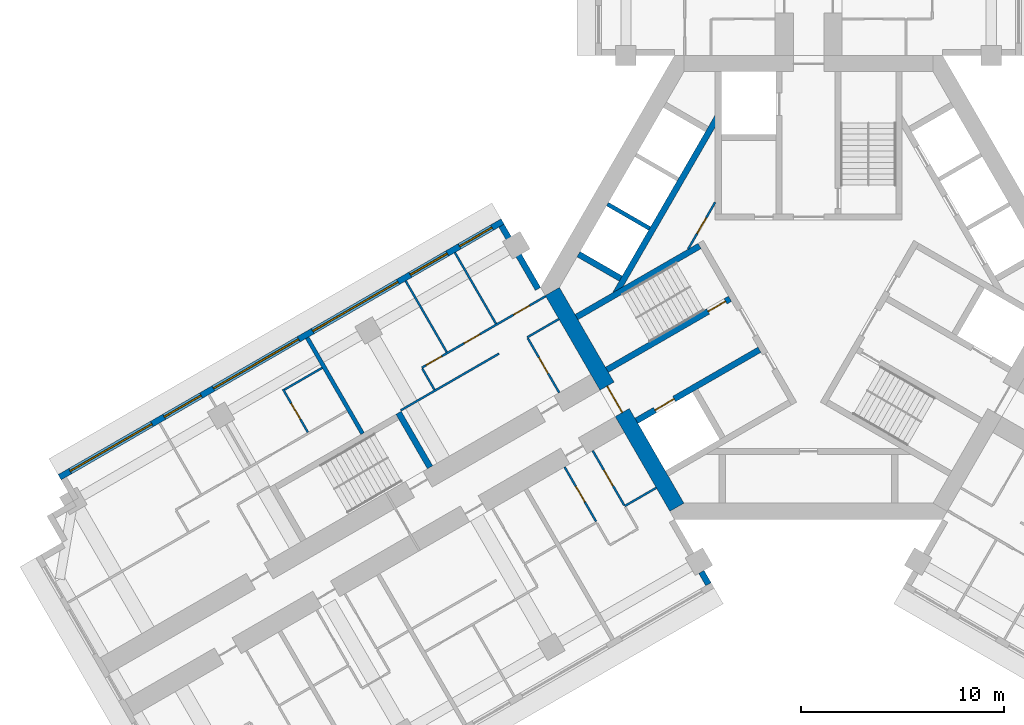
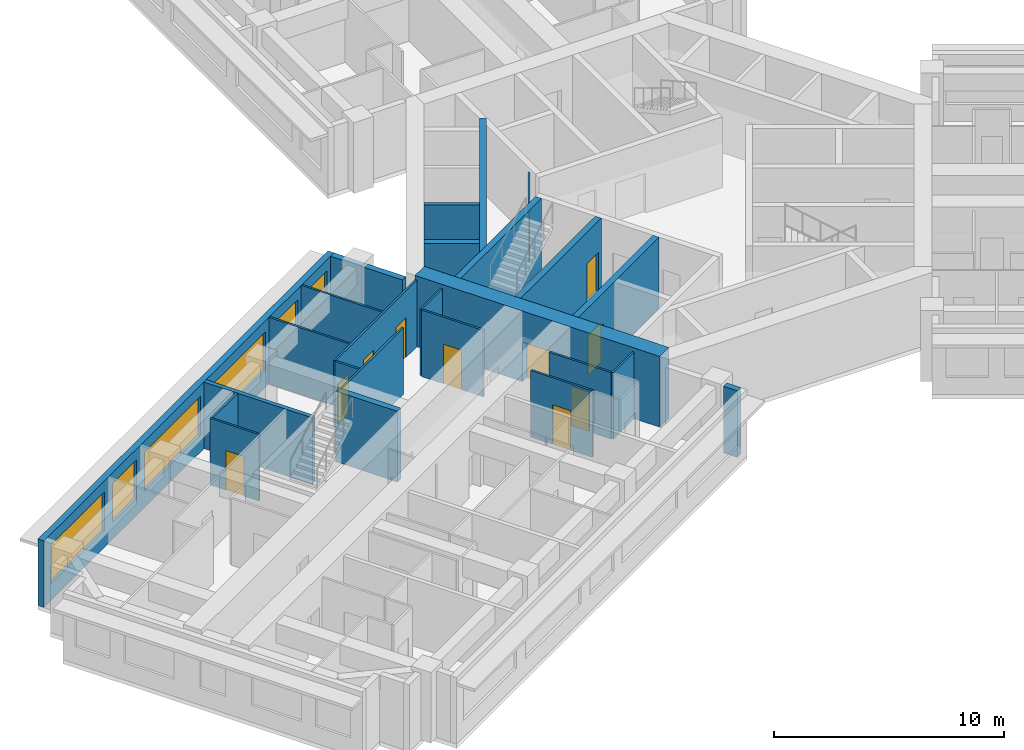
# One storey, part 4 of 12: 25 walls, 11 doors, 6 windows, 17 openings.
"""IFC4 building model written with IfcOpenShell, lengths in metres."""

from ifc_helpers import new_model, si_unit, direction, frame, frame_2d, origin, place, context, subcontext, project, spatial, rectangle, extrude, material, layer, layer_set, type_object, element, fill, save


model = new_model("IFC4")

# Units and contexts
model_context = context("Model", 3, precision=1e-05, world=origin(), true_north=direction((0.0, 1.0)))
body_context = subcontext(model_context, "Body", "Model", "MODEL_VIEW")
ifc_project = project(units=[si_unit("LENGTHUNIT", "METRE"), si_unit("AREAUNIT", "SQUARE_METRE"), si_unit("VOLUMEUNIT", "CUBIC_METRE"), si_unit("PLANEANGLEUNIT", "RADIAN"), si_unit("MASSUNIT", "GRAM", prefix="KILO")], contexts=[model_context])

# Site, building, storey
site_placement = place(None, origin())
site = spatial("IfcSite", under=ifc_project, at=site_placement, CompositionType="ELEMENT")
building_placement = place(site_placement, origin())
building = spatial("IfcBuilding", under=site, at=building_placement, Name="Impinga Residences", CompositionType="ELEMENT")
storey_placement = place(building_placement, frame((0.0, 0.0, 162.25)))
storey = spatial("IfcBuildingStorey", under=building, at=storey_placement, Name="L40", CompositionType="ELEMENT", Elevation=162.25)

# Wall, opening, door
ifc_material_1 = material(Name="Concrete blockwork", Category="masonry")
ifc_layer_1 = layer(ifc_material_1, 0.10009765625)
ifc_layer_set_1 = layer_set([ifc_layer_1], Name="CP1 core room partition, blockwork 100")
wall_type_1 = type_object("IfcWallType", Name="CP1 core room partition, blockwork 100", PredefinedType="PARTITIONING", material=ifc_layer_set_1)
wall_1_placement = place(storey_placement, frame((-5.93359375, 1.885986328125, 0.0), z_axis=(0.0, 0.0, 1.0), x_axis=(0.500018294232, 0.866014841347, 0.0)))
wall_1 = element("IfcWall", 1, at=wall_1_placement, inside=storey, type_object=wall_type_1, Name="Core room partition, blockwork L40:CORE:high:FP", PredefinedType="PARTITIONING", context=body_context, shape_type="SweptSolid", body=[
    extrude(rectangle(XDim=2.6669921875, YDim=0.10009765625, at=frame_2d((1.33349609375, 0.0))), origin(), (0.0, 0.0, 1.0), 3.530029296875),
])
opening_1_placement = place(wall_1_placement, frame((0.883544921875, 0.0, 0.0)))
opening_1 = element("IfcOpeningElement", 2, at=opening_1_placement, cuts=wall_1, Name="Opening D6", PredefinedType="OPENING", context=body_context, shape_type="SweptSolid", body=[
    extrude(rectangle(XDim=0.89990234375, YDim=2.10009765625, at=frame_2d((0.449951171875, 1.050048828125))), frame((0.0, 0.06005859375, 0.0), z_axis=(0.0, -1.0, 0.0), x_axis=(1.0, 0.0, 0.0)), (0.0, 0.0, 1.0), 0.1201171875),
])
ifc_material_2 = material(Name="Timber door set", Category="wood")
door_type_1 = type_object("IfcDoorType", Name="D6 riser and store door 900x2100", OperationType="SINGLE_SWING_LEFT", PredefinedType="DOOR", material=ifc_material_2)
door_1_placement = place(opening_1_placement, origin())
door_1 = element("IfcDoor", 3, at=door_1_placement, inside=storey, type_object=door_type_1, Name="Refuse and recycling room door", OperationType="SINGLE_SWING_LEFT", OverallHeight=2.10009765625, OverallWidth=0.89990234375, PredefinedType="DOOR", context=body_context, shape_type="SweptSolid", body=[
    extrude(rectangle(XDim=0.89990234375, YDim=2.10009765625, at=frame_2d((0.449951171875, 1.050048828125))), frame((0.0, 0.02490234375, 0.0), z_axis=(0.0, -1.0, 0.0), x_axis=(1.0, 0.0, 0.0)), (0.0, 0.0, 1.0), 0.050048828125),
])
fill(opening_1, door_1)

# Wall, openings, windows
ifc_material_3 = material(Name="Terracotta rainscreen on blockwork", Category="masonry")
ifc_layer_2 = layer(ifc_material_3, 0.300048828125)
ifc_layer_set_2 = layer_set([ifc_layer_2], Name="EW1 external wall, terracotta rainscreen on blockwork 300")
wall_type_2 = type_object("IfcWallType", Name="EW1 external wall, terracotta rainscreen on blockwork 300", PredefinedType="SOLIDWALL", material=ifc_layer_set_2)
wall_2_placement = place(storey_placement, frame((-36.89892578125, -9.352294921875, 0.0), z_axis=(0.0, 0.0, 1.0), x_axis=(0.86602925447, 0.499993330357, 0.0)))
wall_2 = element("IfcWall", 4, at=wall_2_placement, inside=storey, type_object=wall_type_2, Name="External wall EW1 L40", PredefinedType="SOLIDWALL", context=body_context, shape_type="SweptSolid", body=[
    extrude(rectangle(XDim=25.199951171875, YDim=0.300048828125, at=frame_2d((12.60009765625, 0.0))), origin(), (0.0, 0.0, 1.0), 3.530029296875),
])
opening_2_placement = place(wall_2_placement, frame((0.60009765625, 0.0, 0.89990234375)))
opening_2 = element("IfcOpeningElement", 5, at=opening_2_placement, cuts=wall_2, Name="Opening W10", PredefinedType="OPENING", context=body_context, shape_type="SweptSolid", body=[
    extrude(rectangle(XDim=4.64990234375, YDim=2.050048828125, at=frame_2d((2.324951171875, 1.02490234375))), frame((0.0, 0.159912109375, 0.0), z_axis=(0.0, -1.0, 0.0), x_axis=(1.0, 0.0, 0.0)), (0.0, 0.0, 1.0), 0.320068359375),
])
opening_3_placement = place(wall_2_placement, frame((5.949951171875, 0.0, 0.89990234375)))
opening_3 = element("IfcOpeningElement", 6, at=opening_3_placement, cuts=wall_2, Name="Opening W9", PredefinedType="OPENING", context=body_context, shape_type="SweptSolid", body=[
    extrude(rectangle(XDim=2.10009765625, YDim=2.050048828125, at=frame_2d((1.050048828125, 1.02490234375))), frame((0.0, 0.159912109375, 0.0), z_axis=(0.0, -1.0, 0.0), x_axis=(1.0, 0.0, 0.0)), (0.0, 0.0, 1.0), 0.320068359375),
])
opening_4_placement = place(wall_2_placement, frame((8.75, 0.0, 0.89990234375)))
opening_4 = element("IfcOpeningElement", 7, at=opening_4_placement, cuts=wall_2, Name="Opening W6", PredefinedType="OPENING", context=body_context, shape_type="SweptSolid", body=[
    extrude(rectangle(XDim=4.85009765625, YDim=2.050048828125, at=frame_2d((2.425048828125, 1.02490234375))), frame((0.0, 0.159912109375, 0.0), z_axis=(0.0, -1.0, 0.0), x_axis=(1.0, 0.0, 0.0)), (0.0, 0.0, 1.0), 0.320068359375),
])
opening_5_placement = place(wall_2_placement, frame((14.39990234375, 0.0, 0.89990234375)))
opening_5 = element("IfcOpeningElement", 8, at=opening_5_placement, cuts=wall_2, Name="Opening W6", PredefinedType="OPENING", context=body_context, shape_type="SweptSolid", body=[
    extrude(rectangle(XDim=4.85009765625, YDim=2.050048828125, at=frame_2d((2.425048828125, 1.02490234375))), frame((0.0, 0.159912109375, 0.0), z_axis=(0.0, -1.0, 0.0), x_axis=(1.0, 0.0, 0.0)), (0.0, 0.0, 1.0), 0.320068359375),
])
opening_6_placement = place(wall_2_placement, frame((19.949951171875, 0.0, 0.89990234375)))
opening_6 = element("IfcOpeningElement", 9, at=opening_6_placement, cuts=wall_2, Name="Opening W9", PredefinedType="OPENING", context=body_context, shape_type="SweptSolid", body=[
    extrude(rectangle(XDim=2.10009765625, YDim=2.050048828125, at=frame_2d((1.050048828125, 1.02490234375))), frame((0.0, 0.159912109375, 0.0), z_axis=(0.0, -1.0, 0.0), x_axis=(1.0, 0.0, 0.0)), (0.0, 0.0, 1.0), 0.320068359375),
])
opening_7_placement = place(wall_2_placement, frame((22.75, 0.0, 0.89990234375)))
opening_7 = element("IfcOpeningElement", 10, at=opening_7_placement, cuts=wall_2, Name="Opening W15", PredefinedType="OPENING", context=body_context, shape_type="SweptSolid", body=[
    extrude(rectangle(XDim=1.85009765625, YDim=2.050048828125, at=frame_2d((0.925048828125, 1.02490234375))), frame((0.0, 0.159912109375, 0.0), z_axis=(0.0, -1.0, 0.0), x_axis=(1.0, 0.0, 0.0)), (0.0, 0.0, 1.0), 0.320068359375),
])
ifc_material_4 = material(Name="Aluminium window, clear double glazing", Category="aluminium")
window_type_1 = type_object("IfcWindowType", Name="W10 ribbon window 4650x2050", PartitioningType="SINGLE_PANEL", PredefinedType="WINDOW", material=ifc_material_4)
window_1_placement = place(opening_2_placement, origin())
window_1 = element("IfcWindow", 11, at=window_1_placement, inside=storey, type_object=window_type_1, Name="Window L40", OverallHeight=2.050048828125, OverallWidth=4.64990234375, PartitioningType="SINGLE_PANEL", PredefinedType="WINDOW", context=body_context, shape_type="SweptSolid", body=[
    extrude(rectangle(XDim=4.64990234375, YDim=2.050048828125, at=frame_2d((2.324951171875, 1.02490234375))), frame((0.0, 0.030029296875, 0.0), z_axis=(0.0, -1.0, 0.0), x_axis=(1.0, 0.0, 0.0)), (0.0, 0.0, 1.0), 0.06005859375),
])
fill(opening_2, window_1)
window_type_2 = type_object("IfcWindowType", Name="W15 ribbon window 1850x2050", PartitioningType="SINGLE_PANEL", PredefinedType="WINDOW", material=ifc_material_4)
window_2_placement = place(opening_7_placement, origin())
window_2 = element("IfcWindow", 12, at=window_2_placement, inside=storey, type_object=window_type_2, Name="Window L40", OverallHeight=2.050048828125, OverallWidth=1.85009765625, PartitioningType="SINGLE_PANEL", PredefinedType="WINDOW", context=body_context, shape_type="SweptSolid", body=[
    extrude(rectangle(XDim=1.85009765625, YDim=2.050048828125, at=frame_2d((0.925048828125, 1.02490234375))), frame((0.0, 0.030029296875, 0.0), z_axis=(0.0, -1.0, 0.0), x_axis=(1.0, 0.0, 0.0)), (0.0, 0.0, 1.0), 0.06005859375),
])
fill(opening_7, window_2)
window_type_3 = type_object("IfcWindowType", Name="W6 ribbon window 4850x2050", PartitioningType="SINGLE_PANEL", PredefinedType="WINDOW", material=ifc_material_4)
window_3_placement = place(opening_4_placement, origin())
window_3 = element("IfcWindow", 13, at=window_3_placement, inside=storey, type_object=window_type_3, Name="Window L40", OverallHeight=2.050048828125, OverallWidth=4.85009765625, PartitioningType="SINGLE_PANEL", PredefinedType="WINDOW", context=body_context, shape_type="SweptSolid", body=[
    extrude(rectangle(XDim=4.85009765625, YDim=2.050048828125, at=frame_2d((2.425048828125, 1.02490234375))), frame((0.0, 0.030029296875, 0.0), z_axis=(0.0, -1.0, 0.0), x_axis=(1.0, 0.0, 0.0)), (0.0, 0.0, 1.0), 0.06005859375),
])
fill(opening_4, window_3)
window_4_placement = place(opening_5_placement, origin())
window_4 = element("IfcWindow", 14, at=window_4_placement, inside=storey, type_object=window_type_3, Name="Window L40", OverallHeight=2.050048828125, OverallWidth=4.85009765625, PartitioningType="SINGLE_PANEL", PredefinedType="WINDOW", context=body_context, shape_type="SweptSolid", body=[
    extrude(rectangle(XDim=4.85009765625, YDim=2.050048828125, at=frame_2d((2.425048828125, 1.02490234375))), frame((0.0, 0.030029296875, 0.0), z_axis=(0.0, -1.0, 0.0), x_axis=(1.0, 0.0, 0.0)), (0.0, 0.0, 1.0), 0.06005859375),
])
fill(opening_5, window_4)
window_type_4 = type_object("IfcWindowType", Name="W9 ribbon window 2100x2050", PartitioningType="SINGLE_PANEL", PredefinedType="WINDOW", material=ifc_material_4)
window_5_placement = place(opening_3_placement, origin())
window_5 = element("IfcWindow", 15, at=window_5_placement, inside=storey, type_object=window_type_4, Name="Window L40", OverallHeight=2.050048828125, OverallWidth=2.10009765625, PartitioningType="SINGLE_PANEL", PredefinedType="WINDOW", context=body_context, shape_type="SweptSolid", body=[
    extrude(rectangle(XDim=2.10009765625, YDim=2.050048828125, at=frame_2d((1.050048828125, 1.02490234375))), frame((0.0, 0.030029296875, 0.0), z_axis=(0.0, -1.0, 0.0), x_axis=(1.0, 0.0, 0.0)), (0.0, 0.0, 1.0), 0.06005859375),
])
fill(opening_3, window_5)
window_6_placement = place(opening_6_placement, origin())
window_6 = element("IfcWindow", 16, at=window_6_placement, inside=storey, type_object=window_type_4, Name="Window L40", OverallHeight=2.050048828125, OverallWidth=2.10009765625, PartitioningType="SINGLE_PANEL", PredefinedType="WINDOW", context=body_context, shape_type="SweptSolid", body=[
    extrude(rectangle(XDim=2.10009765625, YDim=2.050048828125, at=frame_2d((1.050048828125, 1.02490234375))), frame((0.0, 0.030029296875, 0.0), z_axis=(0.0, -1.0, 0.0), x_axis=(1.0, 0.0, 0.0)), (0.0, 0.0, 1.0), 0.06005859375),
])
fill(opening_6, window_6)

# Walls
wall_3_placement = place(storey_placement, frame((-15.1298828125, 3.042724609375, 0.0), z_axis=(0.0, 0.0, 1.0), x_axis=(0.500012057535, -0.866018442252, 0.0)))
element("IfcWall", 17, at=wall_3_placement, inside=storey, type_object=wall_type_2, Name="External wall EW1 L40", PredefinedType="SOLIDWALL", context=body_context, shape_type="SweptSolid", body=[
    extrude(rectangle(XDim=3.60009765625, YDim=0.300048828125, at=frame_2d((1.800048828125, 0.0))), origin(), (0.0, 0.0, 1.0), 3.530029296875),
])
wall_4_placement = place(storey_placement, frame((-5.27978515625, -14.01806640625, 0.0), z_axis=(0.0, 0.0, 1.0), x_axis=(0.499853302173, -0.866110083249, 0.0)))
element("IfcWall", 18, at=wall_4_placement, inside=storey, type_object=wall_type_2, Name="External wall EW1 L40", PredefinedType="SOLIDWALL", context=body_context, shape_type="SweptSolid", body=[
    extrude(rectangle(XDim=0.699951171875, YDim=0.300048828125, at=frame_2d((0.35009765625, 0.0))), origin(), (0.0, 0.0, 1.0), 3.530029296875),
])
ifc_material_5 = material(Name="Gypsum board on steel studs", Category="steel")
ifc_layer_3 = layer(ifc_material_5, 0.10009765625)
ifc_layer_set_3 = layer_set([ifc_layer_3], Name="Gypsum board on steel studs")
wall_type_3 = type_object("IfcWallType", Name="IP1 partition 100", PredefinedType="PARTITIONING", material=ifc_layer_set_3)
wall_5_placement = place(storey_placement, frame((-7.5, -9.872802734375, 0.0), z_axis=(0.0, 0.0, 1.0), x_axis=(-0.866047807691, -0.499961193289, 0.0)))
element("IfcWall", 19, at=wall_5_placement, inside=storey, type_object=wall_type_3, Name="Partition L40-WA1:DIV0", PredefinedType="PARTITIONING", context=body_context, shape_type="SweptSolid", body=[
    extrude(rectangle(XDim=1.800048828125, YDim=0.10009765625, at=frame_2d((0.89990234375, 0.0))), origin(), (0.0, 0.0, 1.0), 3.530029296875),
])

# Wall, opening, door
wall_6_placement = place(storey_placement, frame((-10.6337890625, -8.044677734375, 0.0), z_axis=(0.0, 0.0, 1.0), x_axis=(0.49999285859, -0.86602952684, 0.0)))
wall_6 = element("IfcWall", 20, at=wall_6_placement, inside=storey, type_object=wall_type_3, Name="Partition L40-WA1:IB1", PredefinedType="PARTITIONING", context=body_context, shape_type="SweptSolid", body=[
    extrude(rectangle(XDim=3.10009765625, YDim=0.10009765625, at=frame_2d((1.550048828125, 0.0))), origin(), (0.0, 0.0, 1.0), 3.530029296875),
])
opening_8_placement = place(wall_6_placement, frame((1.10009765625, 0.0, 0.0)))
opening_8 = element("IfcOpeningElement", 21, at=opening_8_placement, cuts=wall_6, Name="Opening D2", PredefinedType="OPENING", context=body_context, shape_type="SweptSolid", body=[
    extrude(rectangle(XDim=0.89990234375, YDim=2.10009765625, at=frame_2d((0.449951171875, 1.050048828125))), frame((0.0, 0.06005859375, 0.0), z_axis=(0.0, -1.0, 0.0), x_axis=(1.0, 0.0, 0.0)), (0.0, 0.0, 1.0), 0.1201171875),
])
door_type_2 = type_object("IfcDoorType", Name="D2 internal door 900x2100", OperationType="SINGLE_SWING_LEFT", PredefinedType="DOOR", material=ifc_material_2)
door_2_placement = place(opening_8_placement, origin())
door_2 = element("IfcDoor", 22, at=door_2_placement, inside=storey, type_object=door_type_2, Name="Apartment L40-WA1 bathroom door", OperationType="SINGLE_SWING_LEFT", OverallHeight=2.10009765625, OverallWidth=0.89990234375, PredefinedType="DOOR", context=body_context, shape_type="SweptSolid", body=[
    extrude(rectangle(XDim=0.89990234375, YDim=2.10009765625, at=frame_2d((0.449951171875, 1.050048828125))), frame((0.0, 0.02490234375, 0.0), z_axis=(0.0, -1.0, 0.0), x_axis=(1.0, 0.0, 0.0)), (0.0, 0.0, 1.0), 0.050048828125),
])
fill(opening_8, door_2)

wall_7_placement = place(storey_placement, frame((-12.01953125, -8.8447265625, 0.0), z_axis=(0.0, 0.0, 1.0), x_axis=(0.500026960575, -0.86600983753, 0.0)))
wall_7 = element("IfcWall", 23, at=wall_7_placement, inside=storey, type_object=wall_type_3, Name="Partition L40-WA1:IB2", PredefinedType="PARTITIONING", context=body_context, shape_type="SweptSolid", body=[
    extrude(rectangle(XDim=3.099853515625, YDim=0.10009765625, at=frame_2d((1.5498046875, 0.0))), origin(), (0.0, 0.0, 1.0), 3.530029296875),
])
opening_9_placement = place(wall_7_placement, frame((1.10009765625, 0.0, 0.0)))
opening_9 = element("IfcOpeningElement", 24, at=opening_9_placement, cuts=wall_7, Name="Opening D2", PredefinedType="OPENING", context=body_context, shape_type="SweptSolid", body=[
    extrude(rectangle(XDim=0.89990234375, YDim=2.10009765625, at=frame_2d((0.449951171875, 1.050048828125))), frame((0.0, 0.06005859375, 0.0), z_axis=(0.0, -1.0, 0.0), x_axis=(1.0, 0.0, 0.0)), (0.0, 0.0, 1.0), 0.1201171875),
])
door_3_placement = place(opening_9_placement, origin())
door_3 = element("IfcDoor", 25, at=door_3_placement, inside=storey, type_object=door_type_2, Name="Apartment L40-WA1 WC door", OperationType="SINGLE_SWING_LEFT", OverallHeight=2.10009765625, OverallWidth=0.89990234375, PredefinedType="DOOR", context=body_context, shape_type="SweptSolid", body=[
    extrude(rectangle(XDim=0.89990234375, YDim=2.10009765625, at=frame_2d((0.449951171875, 1.050048828125))), frame((0.0, 0.02490234375, 0.0), z_axis=(0.0, -1.0, 0.0), x_axis=(1.0, 0.0, 0.0)), (0.0, 0.0, 1.0), 0.050048828125),
])
fill(opening_9, door_3)

# Walls
wall_8_placement = place(storey_placement, frame((-12.300048828125, -1.558837890625, 0.0), z_axis=(0.0, 0.0, 1.0), x_axis=(-0.866047807691, -0.499961193289, 0.0)))
element("IfcWall", 26, at=wall_8_placement, inside=storey, type_object=wall_type_3, Name="Partition L40-WF1:DIV0", PredefinedType="PARTITIONING", context=body_context, shape_type="SweptSolid", body=[
    extrude(rectangle(XDim=1.800048828125, YDim=0.10009765625, at=frame_2d((0.89990234375, 0.0))), origin(), (0.0, 0.0, 1.0), 3.530029296875),
])
wall_9_placement = place(storey_placement, frame((-15.244384765625, -3.2587890625, 0.0), z_axis=(0.0, 0.0, 1.0), x_axis=(-0.866026594901, -0.49999793692, 0.0)))
element("IfcWall", 27, at=wall_9_placement, inside=storey, type_object=wall_type_3, Name="Partition L40-WF1:DIV1", PredefinedType="PARTITIONING", context=body_context, shape_type="SweptSolid", body=[
    extrude(rectangle(XDim=5.60009765625, YDim=0.10009765625, at=frame_2d((2.800048828125, 0.0))), origin(), (0.0, 0.0, 1.0), 3.530029296875),
])

# Wall, openings, doors
wall_10_placement = place(storey_placement, frame((-12.949951171875, -0.43310546875, 0.0), z_axis=(0.0, 0.0, 1.0), x_axis=(-0.866031034943, -0.499990246421, 0.0)))
wall_10 = element("IfcWall", 28, at=wall_10_placement, inside=storey, type_object=wall_type_3, Name="Partition L40-WF1:STRIP", PredefinedType="PARTITIONING", context=body_context, shape_type="SweptSolid", body=[
    extrude(rectangle(XDim=7.050048828125, YDim=0.10009765625, at=frame_2d((3.52490234375, 0.0))), origin(), (0.0, 0.0, 1.0), 3.530029296875),
])
opening_10_placement = place(wall_10_placement, frame((0.925048828125, 0.0, 0.0)))
opening_10 = element("IfcOpeningElement", 29, at=opening_10_placement, cuts=wall_10, Name="Opening D2", PredefinedType="OPENING", context=body_context, shape_type="SweptSolid", body=[
    extrude(rectangle(XDim=0.89990234375, YDim=2.10009765625, at=frame_2d((0.449951171875, 1.050048828125))), frame((0.0, 0.06005859375, 0.0), z_axis=(0.0, -1.0, 0.0), x_axis=(1.0, 0.0, 0.0)), (0.0, 0.0, 1.0), 0.1201171875),
])
opening_11_placement = place(wall_10_placement, frame((3.75, 0.0, 0.0)))
opening_11 = element("IfcOpeningElement", 30, at=opening_11_placement, cuts=wall_10, Name="Opening D2", PredefinedType="OPENING", context=body_context, shape_type="SweptSolid", body=[
    extrude(rectangle(XDim=0.89990234375, YDim=2.10009765625, at=frame_2d((0.449951171875, 1.050048828125))), frame((0.0, 0.06005859375, 0.0), z_axis=(0.0, -1.0, 0.0), x_axis=(1.0, 0.0, 0.0)), (0.0, 0.0, 1.0), 0.1201171875),
])
opening_12_placement = place(wall_10_placement, frame((5.89990234375, 0.0, 0.0)))
opening_12 = element("IfcOpeningElement", 31, at=opening_12_placement, cuts=wall_10, Name="Opening D2", PredefinedType="OPENING", context=body_context, shape_type="SweptSolid", body=[
    extrude(rectangle(XDim=0.89990234375, YDim=2.10009765625, at=frame_2d((0.449951171875, 1.050048828125))), frame((0.0, 0.06005859375, 0.0), z_axis=(0.0, -1.0, 0.0), x_axis=(1.0, 0.0, 0.0)), (0.0, 0.0, 1.0), 0.1201171875),
])
door_4_placement = place(opening_10_placement, origin())
door_4 = element("IfcDoor", 32, at=door_4_placement, inside=storey, type_object=door_type_2, Name="Apartment L40-WF1 room door", OperationType="SINGLE_SWING_LEFT", OverallHeight=2.10009765625, OverallWidth=0.89990234375, PredefinedType="DOOR", context=body_context, shape_type="SweptSolid", body=[
    extrude(rectangle(XDim=0.89990234375, YDim=2.10009765625, at=frame_2d((0.449951171875, 1.050048828125))), frame((0.0, 0.02490234375, 0.0), z_axis=(0.0, -1.0, 0.0), x_axis=(1.0, 0.0, 0.0)), (0.0, 0.0, 1.0), 0.050048828125),
])
fill(opening_10, door_4)
door_5_placement = place(opening_11_placement, origin())
door_5 = element("IfcDoor", 33, at=door_5_placement, inside=storey, type_object=door_type_2, Name="Apartment L40-WF1 room door", OperationType="SINGLE_SWING_RIGHT", OverallHeight=2.10009765625, OverallWidth=0.89990234375, PredefinedType="DOOR", context=body_context, shape_type="SweptSolid", body=[
    extrude(rectangle(XDim=0.89990234375, YDim=2.10009765625, at=frame_2d((0.449951171875, 1.050048828125))), frame((0.0, 0.02490234375, 0.0), z_axis=(0.0, -1.0, 0.0), x_axis=(1.0, 0.0, 0.0)), (0.0, 0.0, 1.0), 0.050048828125),
])
fill(opening_11, door_5)
door_6_placement = place(opening_12_placement, origin())
door_6 = element("IfcDoor", 34, at=door_6_placement, inside=storey, type_object=door_type_2, Name="Apartment L40-WF1 room door", OperationType="SINGLE_SWING_RIGHT", OverallHeight=2.10009765625, OverallWidth=0.89990234375, PredefinedType="DOOR", context=body_context, shape_type="SweptSolid", body=[
    extrude(rectangle(XDim=0.89990234375, YDim=2.10009765625, at=frame_2d((0.449951171875, 1.050048828125))), frame((0.0, 0.02490234375, 0.0), z_axis=(0.0, -1.0, 0.0), x_axis=(1.0, 0.0, 0.0)), (0.0, 0.0, 1.0), 0.050048828125),
])
fill(opening_12, door_6)

# Wall
wall_11_placement = place(storey_placement, frame((-18.430419921875, -5.04052734375, 0.0), z_axis=(0.0, 0.0, 1.0), x_axis=(-0.500033551112, 0.866006032174, 0.0)))
element("IfcWall", 35, at=wall_11_placement, inside=storey, type_object=wall_type_3, Name="Partition L40-WF1:SE1", PredefinedType="PARTITIONING", context=body_context, shape_type="SweptSolid", body=[
    extrude(rectangle(XDim=1.2001953125, YDim=0.10009765625, at=frame_2d((0.60009765625, 0.0))), origin(), (0.0, 0.0, 1.0), 3.530029296875),
])

# Wall, opening, door
wall_12_placement = place(storey_placement, frame((-12.283935546875, -5.186767578125, 0.0), z_axis=(0.0, 0.0, 1.0), x_axis=(-0.499967891604, 0.866043940782, 0.0)))
wall_12 = element("IfcWall", 36, at=wall_12_placement, inside=storey, type_object=wall_type_3, Name="Partition L40-WF1:IB1", PredefinedType="PARTITIONING", context=body_context, shape_type="SweptSolid", body=[
    extrude(rectangle(XDim=3.099853515625, YDim=0.10009765625, at=frame_2d((1.5498046875, 0.0))), origin(), (0.0, 0.0, 1.0), 3.530029296875),
])
opening_13_placement = place(wall_12_placement, frame((1.10009765625, 0.0, 0.0)))
opening_13 = element("IfcOpeningElement", 37, at=opening_13_placement, cuts=wall_12, Name="Opening D2", PredefinedType="OPENING", context=body_context, shape_type="SweptSolid", body=[
    extrude(rectangle(XDim=0.89990234375, YDim=2.10009765625, at=frame_2d((0.449951171875, 1.050048828125))), frame((0.0, 0.06005859375, 0.0), z_axis=(0.0, -1.0, 0.0), x_axis=(1.0, 0.0, 0.0)), (0.0, 0.0, 1.0), 0.1201171875),
])
door_7_placement = place(opening_13_placement, origin())
door_7 = element("IfcDoor", 38, at=door_7_placement, inside=storey, type_object=door_type_2, Name="Apartment L40-WF1 bathroom door", OperationType="SINGLE_SWING_LEFT", OverallHeight=2.10009765625, OverallWidth=0.89990234375, PredefinedType="DOOR", context=body_context, shape_type="SweptSolid", body=[
    extrude(rectangle(XDim=0.89990234375, YDim=2.10009765625, at=frame_2d((0.449951171875, 1.050048828125))), frame((0.0, 0.02490234375, 0.0), z_axis=(0.0, -1.0, 0.0), x_axis=(1.0, 0.0, 0.0)), (0.0, 0.0, 1.0), 0.050048828125),
])
fill(opening_13, door_7)

# Walls
for number, where, z_axis, x_axis, name in (
    (39, (-15.39990234375, -1.789794921875, 0.0), (0.0, 0.0, 1.0), (-0.499964223975, 0.866046058097, 0.0), "Partition L40-WF1:OB1"),
    (40, (-17.82470703125, -3.189697265625, 0.0), (0.0, 0.0, 1.0), (-0.500035537042, 0.866004885491, 0.0), "Partition L40-WF1:OB2"),
):
    element("IfcWall", number, at=place(storey_placement, frame(where, z_axis=z_axis, x_axis=x_axis)), inside=storey, type_object=wall_type_3, Name=name, PredefinedType="PARTITIONING", context=body_context, shape_type="SweptSolid", body=[
        extrude(rectangle(XDim=4.050048828125, YDim=0.10009765625, at=frame_2d((2.02490234375, 0.0))), origin(), (0.0, 0.0, 1.0), 3.530029296875),
    ])

# Wall, opening, door
wall_13_placement = place(storey_placement, frame((-24.666259765625, -7.1396484375, 0.0), z_axis=(0.0, 0.0, 1.0), x_axis=(-0.500061746146, 0.865989751695, 0.0)))
wall_13 = element("IfcWall", 41, at=wall_13_placement, inside=storey, type_object=wall_type_3, Name="Partition L40-WF2:EN1", PredefinedType="PARTITIONING", context=body_context, shape_type="SweptSolid", body=[
    extrude(rectangle(XDim=2.449951171875, YDim=0.10009765625, at=frame_2d((1.22509765625, 0.0))), origin(), (0.0, 0.0, 1.0), 3.530029296875),
])
opening_14_placement = place(wall_13_placement, frame((0.75, 0.0, 0.0)))
opening_14 = element("IfcOpeningElement", 42, at=opening_14_placement, cuts=wall_13, Name="Opening D2", PredefinedType="OPENING", context=body_context, shape_type="SweptSolid", body=[
    extrude(rectangle(XDim=0.89990234375, YDim=2.10009765625, at=frame_2d((0.449951171875, 1.050048828125))), frame((0.0, 0.06005859375, 0.0), z_axis=(0.0, -1.0, 0.0), x_axis=(1.0, 0.0, 0.0)), (0.0, 0.0, 1.0), 0.1201171875),
])
door_8_placement = place(opening_14_placement, origin())
door_8 = element("IfcDoor", 43, at=door_8_placement, inside=storey, type_object=door_type_2, Name="Apartment L40-WF2 en-suite door", OperationType="SINGLE_SWING_LEFT", OverallHeight=2.10009765625, OverallWidth=0.89990234375, PredefinedType="DOOR", context=body_context, shape_type="SweptSolid", body=[
    extrude(rectangle(XDim=0.89990234375, YDim=2.10009765625, at=frame_2d((0.449951171875, 1.050048828125))), frame((0.0, 0.02490234375, 0.0), z_axis=(0.0, -1.0, 0.0), x_axis=(1.0, 0.0, 0.0)), (0.0, 0.0, 1.0), 0.050048828125),
])
fill(opening_14, door_8)

# Walls
wall_14_placement = place(storey_placement, frame((-23.961181640625, -3.961181640625, 0.0), z_axis=(0.0, 0.0, 1.0), x_axis=(-0.866019166195, -0.500010803666, 0.0)))
element("IfcWall", 44, at=wall_14_placement, inside=storey, type_object=wall_type_3, Name="Partition L40-WF2:EN2", PredefinedType="PARTITIONING", context=body_context, shape_type="SweptSolid", body=[
    extrude(rectangle(XDim=2.14990234375, YDim=0.10009765625, at=frame_2d((1.074951171875, 0.0))), origin(), (0.0, 0.0, 1.0), 3.530029296875),
])
ifc_layer_4 = layer(ifc_material_1, 0.199951171875)
ifc_layer_set_4 = layer_set([ifc_layer_4], Name="PW1 party wall between apartments 200")
wall_type_4 = type_object("IfcWallType", Name="PW1 party wall between apartments 200", PredefinedType="SOLIDWALL", material=ifc_layer_set_4)
wall_15_placement = place(storey_placement, frame((-21.974365234375, -7.2021484375, 0.0), z_axis=(0.0, 0.0, 1.0), x_axis=(-0.500022328685, 0.866012511928, 0.0)))
element("IfcWall", 45, at=wall_15_placement, inside=storey, type_object=wall_type_4, Name="Party wall between apartments L40-WF1:PARTY", PredefinedType="SOLIDWALL", context=body_context, shape_type="SweptSolid", body=[
    extrude(rectangle(XDim=5.449951171875, YDim=0.199951171875, at=frame_2d((2.72509765625, 0.0))), origin(), (0.0, 0.0, 1.0), 3.530029296875),
])
ifc_material_6 = material(Name="Concrete C60/75", Category="concrete")
ifc_layer_5 = layer(ifc_material_6, 0.300048828125)
ifc_layer_set_5 = layer_set([ifc_layer_5], Name="Concrete C60/75")
wall_type_5 = type_object("IfcWallType", Name="SE1 wing stair enclosure wall 300", PredefinedType="SOLIDWALL", material=ifc_layer_set_5)
wall_16_placement = place(storey_placement, frame((-18.649169921875, -8.86181640625, 0.0), z_axis=(0.0, 0.0, 1.0), x_axis=(-0.500026960575, 0.86600983753, 0.0)))
element("IfcWall", 46, at=wall_16_placement, inside=storey, type_object=wall_type_5, Name="Stair enclosure wall SE1 W END0 L40", PredefinedType="SOLIDWALL", context=body_context, shape_type="SweptSolid", body=[
    extrude(rectangle(XDim=3.099853515625, YDim=0.300048828125, at=frame_2d((1.5498046875, 0.0))), origin(), (0.0, 0.0, 1.0), 3.75),
])

# Wall, opening, door
ifc_layer_6 = layer(ifc_material_6, 0.800048828125)
ifc_layer_set_6 = layer_set([ifc_layer_6], Name="Concrete C60/75")
wall_type_6 = type_object("IfcWallType", Name="SW2 core wall 800", PredefinedType="SHEAR", material=ifc_layer_set_6)
wall_17_placement = place(storey_placement, frame((-6.484619140625, -10.83154296875, 0.0), z_axis=(0.0, 0.0, 1.0), x_axis=(-0.499986991068, 0.866032914365, 0.0)))
wall_17 = element("IfcWall", 47, at=wall_17_placement, inside=storey, type_object=wall_type_6, Name="Core wall SW2 W:FACE L40", PredefinedType="SHEAR", context=body_context, shape_type="SweptSolid", body=[
    extrude(rectangle(XDim=12.276123046875, YDim=0.800048828125, at=frame_2d((6.13818359375, 0.0))), origin(), (0.0, 0.0, 1.0), 3.75),
])
opening_15_placement = place(wall_17_placement, frame((5.38818359375, 0.0, 0.0)))
opening_15 = element("IfcOpeningElement", 48, at=opening_15_placement, cuts=wall_17, Name="Opening D4", PredefinedType="OPENING", context=body_context, shape_type="SweptSolid", body=[
    extrude(rectangle(XDim=1.5, YDim=2.10009765625, at=frame_2d((0.75, 1.050048828125))), frame((0.0, 0.409912109375, 0.0), z_axis=(0.0, -1.0, 0.0), x_axis=(1.0, 0.0, 0.0)), (0.0, 0.0, 1.0), 0.820068359375),
])
door_type_3 = type_object("IfcDoorType", Name="D4 lobby door pair 1500x2100", OperationType="DOUBLE_DOOR_DOUBLE_SWING", PredefinedType="DOOR", material=ifc_material_2)
door_9_placement = place(opening_15_placement, origin())
door_9 = element("IfcDoor", 49, at=door_9_placement, inside=storey, type_object=door_type_3, Name="Lobby door W", OperationType="DOUBLE_DOOR_DOUBLE_SWING", OverallHeight=2.10009765625, OverallWidth=1.5, PredefinedType="DOOR", context=body_context, shape_type="SweptSolid", body=[
    extrude(rectangle(XDim=1.5, YDim=2.10009765625, at=frame_2d((0.75, 1.050048828125))), frame((0.0, 0.02490234375, 0.0), z_axis=(0.0, -1.0, 0.0), x_axis=(1.0, 0.0, 0.0)), (0.0, 0.0, 1.0), 0.050048828125),
])
fill(opening_15, door_9)

ifc_material_7 = material(Name="Concrete C70/85", Category="concrete")
ifc_layer_7 = layer(ifc_material_7, 0.300048828125)
ifc_layer_set_7 = layer_set([ifc_layer_7], Name="Concrete C70/85")
wall_type_7 = type_object("IfcWallType", Name="SW5 core inner wall, stairs, shafts and lobbies 300", PredefinedType="SHEAR", material=ifc_layer_set_7)
wall_18_placement = place(storey_placement, frame((-3.86865234375, -0.559326171875, 0.0), z_axis=(0.0, 0.0, 1.0), x_axis=(-0.866026480128, -0.499998135713, 0.0)))
wall_18 = element("IfcWall", 50, at=wall_18_placement, inside=storey, type_object=wall_type_7, Name="Core wall SW5 W:ST-IN L40", PredefinedType="SHEAR", context=body_context, shape_type="SweptSolid", body=[
    extrude(rectangle(XDim=7.00146484375, YDim=0.300048828125, at=frame_2d((3.500732421875, 0.0))), origin(), (0.0, 0.0, 1.0), 3.75),
])
opening_16_placement = place(wall_18_placement, frame((0.25, 0.0, 0.0)))
opening_16 = element("IfcOpeningElement", 51, at=opening_16_placement, cuts=wall_18, Name="Opening D5", PredefinedType="OPENING", context=body_context, shape_type="SweptSolid", body=[
    extrude(rectangle(XDim=1.0, YDim=2.10009765625, at=frame_2d((0.5, 1.050048828125))), frame((0.0, 0.159912109375, 0.0), z_axis=(0.0, -1.0, 0.0), x_axis=(1.0, 0.0, 0.0)), (0.0, 0.0, 1.0), 0.320068359375),
])
door_type_4 = type_object("IfcDoorType", Name="D5 stair door 1000x2100", OperationType="SINGLE_SWING_LEFT", PredefinedType="DOOR", material=ifc_material_2)
door_10_placement = place(opening_16_placement, origin())
door_10 = element("IfcDoor", 52, at=door_10_placement, inside=storey, type_object=door_type_4, Name="Stair door W", OperationType="SINGLE_SWING_LEFT", OverallHeight=2.10009765625, OverallWidth=1.0, PredefinedType="DOOR", context=body_context, shape_type="SweptSolid", body=[
    extrude(rectangle(XDim=1.0, YDim=2.10009765625, at=frame_2d((0.5, 1.050048828125))), frame((0.0, 0.02490234375, 0.0), z_axis=(0.0, -1.0, 0.0), x_axis=(1.0, 0.0, 0.0)), (0.0, 0.0, 1.0), 0.050048828125),
])
fill(opening_16, door_10)

# Wall
wall_19_placement = place(storey_placement, frame((-5.36865234375, 2.038818359375, 0.0), z_axis=(0.0, 0.0, 1.0), x_axis=(-0.866026480128, -0.499998135713, 0.0)))
element("IfcWall", 53, at=wall_19_placement, inside=storey, type_object=wall_type_7, Name="Core wall SW5 W:ST-OUT L40", PredefinedType="SHEAR", context=body_context, shape_type="SweptSolid", body=[
    extrude(rectangle(XDim=7.00146484375, YDim=0.300048828125, at=frame_2d((3.500732421875, 0.0))), origin(), (0.0, 0.0, 1.0), 3.75),
])

# Wall, opening, door
wall_20_placement = place(storey_placement, frame((-2.418701171875, -3.07080078125, 0.0), z_axis=(0.0, 0.0, 1.0), x_axis=(-0.866026480128, -0.499998135713, 0.0)))
wall_20 = element("IfcWall", 54, at=wall_20_placement, inside=storey, type_object=wall_type_7, Name="Core wall SW5 W:FF-IN L40", PredefinedType="SHEAR", context=body_context, shape_type="SweptSolid", body=[
    extrude(rectangle(XDim=7.00146484375, YDim=0.300048828125, at=frame_2d((3.500732421875, 0.0))), origin(), (0.0, 0.0, 1.0), 3.75),
])
opening_17_placement = place(wall_20_placement, frame((4.85009765625, 0.0, 0.0)))
opening_17 = element("IfcOpeningElement", 55, at=opening_17_placement, cuts=wall_20, Name="Opening LD2", PredefinedType="OPENING", context=body_context, shape_type="SweptSolid", body=[
    extrude(rectangle(XDim=1.10009765625, YDim=2.10009765625, at=frame_2d((0.550048828125, 1.050048828125))), frame((0.0, 0.159912109375, 0.0), z_axis=(0.0, -1.0, 0.0), x_axis=(1.0, 0.0, 0.0)), (0.0, 0.0, 1.0), 0.320068359375),
])
ifc_material_8 = material(Name="Steel lift landing door", Category="steel")
door_type_5 = type_object("IfcDoorType", Name="LD2 firefighting lift landing door 1100x2100", OperationType="DOUBLE_DOOR_SLIDING", PredefinedType="DOOR", material=ifc_material_8)
door_11_placement = place(opening_17_placement, origin())
door_11 = element("IfcDoor", 56, at=door_11_placement, inside=storey, type_object=door_type_5, Name="Firefighting lift landing door F2", OperationType="DOUBLE_DOOR_SLIDING", OverallHeight=2.10009765625, OverallWidth=1.10009765625, PredefinedType="DOOR", context=body_context, shape_type="SweptSolid", body=[
    extrude(rectangle(XDim=1.10009765625, YDim=2.10009765625, at=frame_2d((0.550048828125, 1.050048828125))), frame((0.0, 0.02490234375, 0.0), z_axis=(0.0, -1.0, 0.0), x_axis=(1.0, 0.0, 0.0)), (0.0, 0.0, 1.0), 0.050048828125),
])
fill(opening_17, door_11)

# Walls
wall_21_placement = place(storey_placement, frame((-9.547607421875, -0.3740234375, 0.0), z_axis=(0.0, 0.0, 1.0), x_axis=(0.500002290144, 0.866024081565, 0.0)))
element("IfcWall", 57, at=wall_21_placement, inside=storey, type_object=wall_type_7, Name="Core wall SW5 E:BANK-FRONT L40", PredefinedType="SHEAR", context=body_context, shape_type="SweptSolid", body=[
    extrude(rectangle(XDim=10.1953125, YDim=0.300048828125, at=frame_2d((5.09765625, 0.0))), origin(), (0.0, 0.0, 1.0), 3.75),
])
wall_22_placement = place(storey_placement, frame((-9.253662109375, 0.43505859375, 0.0), z_axis=(0.0, 0.0, 1.0), x_axis=(-0.866006032174, 0.500033551112, 0.0)))
element("IfcWall", 58, at=wall_22_placement, inside=storey, type_object=wall_type_7, Name="Core wall SW5 E:BANK-L L40", PredefinedType="SHEAR", context=body_context, shape_type="SweptSolid", body=[
    extrude(rectangle(XDim=2.400146484375, YDim=0.300048828125, at=frame_2d((1.2001953125, 0.0))), origin(), (0.0, 0.0, 1.0), 3.75),
])
ifc_layer_8 = layer(ifc_material_7, 0.199951171875)
ifc_layer_set_8 = layer_set([ifc_layer_8], Name="Concrete C70/85")
wall_type_8 = type_object("IfcWallType", Name="SW6 lift shaft divider wall 200", PredefinedType="SHEAR", material=ifc_layer_set_8)
wall_23_placement = place(storey_placement, frame((-7.82861328125, 2.9033203125, 0.0), z_axis=(0.0, 0.0, 1.0), x_axis=(-0.866050077142, 0.499957262057, 0.0)))
element("IfcWall", 59, at=wall_23_placement, inside=storey, type_object=wall_type_8, Name="Core wall SW6 E:BANK-D1 L40", PredefinedType="SHEAR", context=body_context, shape_type="SweptSolid", body=[
    extrude(rectangle(XDim=2.400146484375, YDim=0.199951171875, at=frame_2d((1.2001953125, 0.0))), origin(), (0.0, 0.0, 1.0), 3.75),
])

save(model, "model.ifc")
